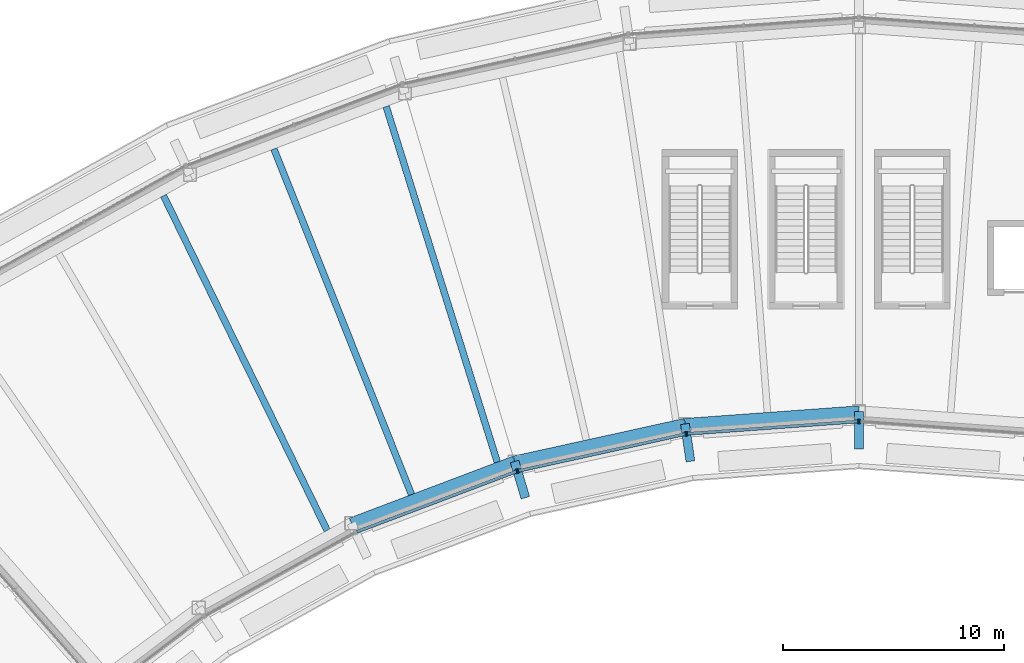
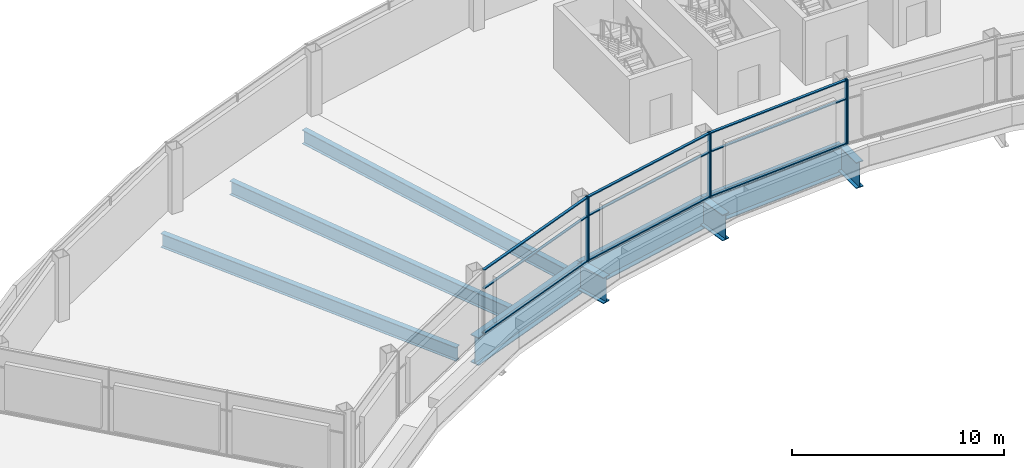
# One storey, part 4 of 17: 15 members, 9 beams, 4 elements without a shape of their own.
"""IFC4 building model written with IfcOpenShell, lengths in metres."""

from ifc_helpers import new_model, si_unit, direction, frame, origin, origin_2d, place, context, subcontext, project, spatial, rectangle, i_section, extrude, material, layer, layer_set, material_profile, profile_set, type_object, element, aggregate, save


model = new_model("IFC4")

# Units and contexts
model_context = context("Model", 3, precision=1e-05, world=origin(), true_north=direction((0.0, 1.0)))
body_context = subcontext(model_context, "Body", "Model", "MODEL_VIEW")
ifc_project = project(units=[si_unit("LENGTHUNIT", "METRE"), si_unit("AREAUNIT", "SQUARE_METRE"), si_unit("VOLUMEUNIT", "CUBIC_METRE"), si_unit("PLANEANGLEUNIT", "RADIAN"), si_unit("MASSUNIT", "GRAM", prefix="KILO")], contexts=[model_context])

# Site, building, storey
site_placement = place(None, origin())
site = spatial("IfcSite", under=ifc_project, at=site_placement, CompositionType="ELEMENT")
building_placement = place(site_placement, origin())
building = spatial("IfcBuilding", under=site, at=building_placement, Name="Tuul Gate Civic Tower", CompositionType="ELEMENT")
storey_placement = place(building_placement, frame((0.0, 0.0, 360.10009765625)))
storey = spatial("IfcBuildingStorey", under=building, at=storey_placement, Name="Crown tier 1 lower", CompositionType="ELEMENT", Elevation=360.10009765625)

# Curtain wall, member
ifc_material_1 = material(Name="Aluminium", Category="aluminium")
ifc_layer = layer(ifc_material_1, 0.199951171875)
ifc_layer_set = layer_set([ifc_layer], Name="Aluminium")
curtain_wall_type = type_object("IfcCurtainWallType", Name="Curtain wall CW5", PredefinedType="NOTDEFINED", material=ifc_layer_set)
curtain_wall_1_placement = place(storey_placement, origin())
curtain_wall_1 = element("IfcCurtainWall", 1, at=curtain_wall_1_placement, inside=storey, type_object=curtain_wall_type, Name="Curtain wall CW5", PredefinedType="NOTDEFINED")
ifc_material_2 = material(Name="Aluminium", Category="aluminium")
ifc_material_profile_1 = material_profile(ifc_material_2, rectangle(XDim=0.199951171875, YDim=0.06005859375, at=origin_2d()), Name="CW5 mullion")
ifc_profile_set_1 = profile_set([ifc_material_profile_1], Name="Aluminium")
member_type_1 = type_object("IfcMemberType", Name="CW5 mullion", PredefinedType="MULLION", material=ifc_profile_set_1)
member_1_placement = place(storey_placement, frame((-13.26513671875, -8.231689453125, 0.0), z_axis=(0.0, 0.0, 1.0), x_axis=(-0.353743883051, 0.935342325143, 0.0)))
member_1 = element("IfcMember", 2, at=member_1_placement, type_object=member_type_1, Name="Mullion", PredefinedType="MULLION", context=body_context, shape_type="SweptSolid", body=[
    extrude(rectangle(XDim=0.199951171875, YDim=0.06005859375, at=origin_2d()), origin(), (0.0, 0.0, 1.0), 3.699951171875),
])

# Curtain wall, members
curtain_wall_2_placement = place(storey_placement, origin())
curtain_wall_2 = element("IfcCurtainWall", 3, at=curtain_wall_2_placement, inside=storey, type_object=curtain_wall_type, Name="Curtain wall CW5", PredefinedType="NOTDEFINED")
member_2_placement = place(storey_placement, frame((-13.207763671875, -8.214599609375, 0.0), z_axis=(0.0, 0.0, 1.0), x_axis=(-0.215196143732, 0.976570847262, 0.0)))
member_2 = element("IfcMember", 4, at=member_2_placement, type_object=member_type_1, Name="Mullion", PredefinedType="MULLION", context=body_context, shape_type="SweptSolid", body=[
    extrude(rectangle(XDim=0.199951171875, YDim=0.06005859375, at=origin_2d()), origin(), (0.0, 0.0, 1.0), 3.699951171875),
])
member_3_placement = place(storey_placement, frame((-5.63330078125, -6.54541015625, 0.0), z_axis=(0.0, 0.0, 1.0), x_axis=(-0.215196143732, 0.976570847262, 0.0)))
member_3 = element("IfcMember", 5, at=member_3_placement, type_object=member_type_1, Name="Mullion", PredefinedType="MULLION", context=body_context, shape_type="SweptSolid", body=[
    extrude(rectangle(XDim=0.199951171875, YDim=0.06005859375, at=origin_2d()), origin(), (0.0, 0.0, 1.0), 3.699951171875),
])

curtain_wall_3_placement = place(storey_placement, origin())
curtain_wall_3 = element("IfcCurtainWall", 6, at=curtain_wall_3_placement, inside=storey, type_object=curtain_wall_type, Name="Curtain wall CW5", PredefinedType="NOTDEFINED")
member_4_placement = place(storey_placement, frame((-5.573974609375, -6.536865234375, 0.0), z_axis=(0.0, 0.0, 1.0), x_axis=(-0.072283482832, 0.997384127661, 0.0)))
member_4 = element("IfcMember", 7, at=member_4_placement, type_object=member_type_1, Name="Mullion", PredefinedType="MULLION", context=body_context, shape_type="SweptSolid", body=[
    extrude(rectangle(XDim=0.199951171875, YDim=0.06005859375, at=origin_2d()), origin(), (0.0, 0.0, 1.0), 3.699951171875),
])
member_5_placement = place(storey_placement, frame((2.162109375, -5.97607421875, 0.0), z_axis=(0.0, 0.0, 1.0), x_axis=(-0.072283482832, 0.997384127661, 0.0)))
member_5 = element("IfcMember", 8, at=member_5_placement, type_object=member_type_1, Name="Mullion", PredefinedType="MULLION", context=body_context, shape_type="SweptSolid", body=[
    extrude(rectangle(XDim=0.199951171875, YDim=0.06005859375, at=origin_2d()), origin(), (0.0, 0.0, 1.0), 3.699951171875),
])

# Curtain wall, member
curtain_wall_4_placement = place(storey_placement, origin())
curtain_wall_4 = element("IfcCurtainWall", 9, at=curtain_wall_4_placement, inside=storey, type_object=curtain_wall_type, Name="Curtain wall CW5", PredefinedType="NOTDEFINED")
member_6_placement = place(storey_placement, frame((2.221923828125, -5.97607421875, 0.0), z_axis=(0.0, 0.0, 1.0), x_axis=(0.072283482832, 0.997384127661, 0.0)))
member_6 = element("IfcMember", 10, at=member_6_placement, type_object=member_type_1, Name="Mullion", PredefinedType="MULLION", context=body_context, shape_type="SweptSolid", body=[
    extrude(rectangle(XDim=0.199951171875, YDim=0.06005859375, at=origin_2d()), origin(), (0.0, 0.0, 1.0), 3.699951171875),
])
aggregate(curtain_wall_4, [member_6])

# Member
ifc_material_3 = material(Name="Aluminium", Category="aluminium")
ifc_material_profile_2 = material_profile(ifc_material_3, rectangle(XDim=0.139892578125, YDim=0.06005859375, at=origin_2d()), Name="CW5 transom")
ifc_profile_set_2 = profile_set([ifc_material_profile_2], Name="Aluminium")
member_type_2 = type_object("IfcMemberType", Name="CW5 transom", PredefinedType="USERDEFINED", material=ifc_profile_set_2)
member_7_placement = place(storey_placement, frame((-20.491943359375, -10.96484375, 0.02978515625), z_axis=(0.935337326269, 0.353757100405, 0.0), x_axis=(-0.353757100405, 0.935337326269, 0.0)))
member_7 = element("IfcMember", 11, at=member_7_placement, type_object=member_type_2, Name="Transom", ObjectType="TRANSOM", PredefinedType="USERDEFINED", context=body_context, shape_type="SweptSolid", body=[
    extrude(rectangle(XDim=0.139892578125, YDim=0.06005859375, at=origin_2d()), origin(), (0.0, 0.0, 1.0), 7.6962890625),
])

member_8_placement = place(storey_placement, frame((-20.491943359375, -10.96484375, 2.599853515625), z_axis=(0.935337326269, 0.353757100405, 0.0), x_axis=(-0.353757100405, 0.935337326269, 0.0)))
member_8 = element("IfcMember", 12, at=member_8_placement, type_object=member_type_2, Name="Transom", ObjectType="TRANSOM", PredefinedType="USERDEFINED", context=body_context, shape_type="SweptSolid", body=[
    extrude(rectangle(XDim=0.139892578125, YDim=0.06005859375, at=origin_2d()), origin(), (0.0, 0.0, 1.0), 7.6962890625),
])

member_9_placement = place(storey_placement, frame((-20.491943359375, -10.96484375, 3.669921875), z_axis=(0.935337326269, 0.353757100405, 0.0), x_axis=(-0.353757100405, 0.935337326269, 0.0)))
member_9 = element("IfcMember", 13, at=member_9_placement, type_object=member_type_2, Name="Transom", ObjectType="TRANSOM", PredefinedType="USERDEFINED", context=body_context, shape_type="SweptSolid", body=[
    extrude(rectangle(XDim=0.139892578125, YDim=0.06005859375, at=origin_2d()), origin(), (0.0, 0.0, 1.0), 7.6962890625),
])

aggregate(curtain_wall_1, [member_1, member_7, member_8, member_9])

member_10_placement = place(storey_placement, frame((-13.178466796875, -8.2080078125, 0.02978515625), z_axis=(0.976575852415, 0.215173428843, 0.0), x_axis=(-0.215173428843, 0.976575852415, 0.0)))
member_10 = element("IfcMember", 14, at=member_10_placement, type_object=member_type_2, Name="Transom", ObjectType="TRANSOM", PredefinedType="USERDEFINED", context=body_context, shape_type="SweptSolid", body=[
    extrude(rectangle(XDim=0.139892578125, YDim=0.06005859375, at=origin_2d()), origin(), (0.0, 0.0, 1.0), 7.696044921875),
])

member_11_placement = place(storey_placement, frame((-13.178466796875, -8.2080078125, 2.599853515625), z_axis=(0.976575852415, 0.215173428843, 0.0), x_axis=(-0.215173428843, 0.976575852415, 0.0)))
member_11 = element("IfcMember", 15, at=member_11_placement, type_object=member_type_2, Name="Transom", ObjectType="TRANSOM", PredefinedType="USERDEFINED", context=body_context, shape_type="SweptSolid", body=[
    extrude(rectangle(XDim=0.139892578125, YDim=0.06005859375, at=origin_2d()), origin(), (0.0, 0.0, 1.0), 7.696044921875),
])

member_12_placement = place(storey_placement, frame((-13.178466796875, -8.2080078125, 3.669921875), z_axis=(0.976575852415, 0.215173428843, 0.0), x_axis=(-0.215173428843, 0.976575852415, 0.0)))
member_12 = element("IfcMember", 16, at=member_12_placement, type_object=member_type_2, Name="Transom", ObjectType="TRANSOM", PredefinedType="USERDEFINED", context=body_context, shape_type="SweptSolid", body=[
    extrude(rectangle(XDim=0.139892578125, YDim=0.06005859375, at=origin_2d()), origin(), (0.0, 0.0, 1.0), 7.696044921875),
])

aggregate(curtain_wall_2, [member_2, member_3, member_10, member_11, member_12])

member_13_placement = place(storey_placement, frame((-5.544189453125, -6.53466796875, 0.02978515625), z_axis=(0.997383437077, 0.072293011039, 0.0), x_axis=(-0.072293011039, 0.997383437077, 0.0)))
member_13 = element("IfcMember", 17, at=member_13_placement, type_object=member_type_2, Name="Transom", ObjectType="TRANSOM", PredefinedType="USERDEFINED", context=body_context, shape_type="SweptSolid", body=[
    extrude(rectangle(XDim=0.139892578125, YDim=0.06005859375, at=origin_2d()), origin(), (0.0, 0.0, 1.0), 7.6962890625),
])

member_14_placement = place(storey_placement, frame((-5.544189453125, -6.53466796875, 2.599853515625), z_axis=(0.997383437077, 0.072293011039, 0.0), x_axis=(-0.072293011039, 0.997383437077, 0.0)))
member_14 = element("IfcMember", 18, at=member_14_placement, type_object=member_type_2, Name="Transom", ObjectType="TRANSOM", PredefinedType="USERDEFINED", context=body_context, shape_type="SweptSolid", body=[
    extrude(rectangle(XDim=0.139892578125, YDim=0.06005859375, at=origin_2d()), origin(), (0.0, 0.0, 1.0), 7.6962890625),
])

member_15_placement = place(storey_placement, frame((-5.544189453125, -6.53466796875, 3.669921875), z_axis=(0.997383437077, 0.072293011039, 0.0), x_axis=(-0.072293011039, 0.997383437077, 0.0)))
member_15 = element("IfcMember", 19, at=member_15_placement, type_object=member_type_2, Name="Transom", ObjectType="TRANSOM", PredefinedType="USERDEFINED", context=body_context, shape_type="SweptSolid", body=[
    extrude(rectangle(XDim=0.139892578125, YDim=0.06005859375, at=origin_2d()), origin(), (0.0, 0.0, 1.0), 7.6962890625),
])

aggregate(curtain_wall_3, [member_4, member_5, member_13, member_14, member_15])

# Beams
ifc_material_4 = material(Name="Steel S355", Category="steel")
ifc_material_profile_3 = material_profile(ifc_material_4, i_section(OverallWidth=0.39990234375, OverallDepth=1.5, WebThickness=0.02490234375, FlangeThickness=0.0400390625, at=origin_2d()), Name="PG1500x400x25x40")
ifc_profile_set_3 = profile_set([ifc_material_profile_3], Name="Steel S355")
beam_type_1 = type_object("IfcBeamType", Name="STR-FLOOR BEAM-PG1500x400x25x40", PredefinedType="BEAM", material=ifc_profile_set_3)
beam_1_placement = place(storey_placement, frame((-12.879638671875, -9.42236328125, -1.050048828125), z_axis=(-0.285219145834, 0.958462330428, 0.0), x_axis=(-0.958462330428, -0.285219145834, 0.0)))
element("IfcBeam", 20, at=beam_1_placement, inside=storey, type_object=beam_type_1, Name="Ring girder stub", PredefinedType="BEAM", context=body_context, shape_type="SweptSolid", body=[
    extrude(i_section(OverallWidth=0.39990234375, OverallDepth=1.5, WebThickness=0.02490234375, FlangeThickness=0.0400390625, at=origin_2d()), origin(), (0.0, 0.0, 1.0), 1.705078125),
])
beam_2_placement = place(storey_placement, frame((-5.42333984375, -7.780029296875, -1.050048828125), z_axis=(-0.143985716613, 0.989579766068, 0.0), x_axis=(-0.989579766068, -0.143985716613, 0.0)))
element("IfcBeam", 21, at=beam_2_placement, inside=storey, type_object=beam_type_1, Name="Ring girder stub", PredefinedType="BEAM", context=body_context, shape_type="SweptSolid", body=[
    extrude(i_section(OverallWidth=0.39990234375, OverallDepth=1.5, WebThickness=0.02490234375, FlangeThickness=0.0400390625, at=origin_2d()), origin(), (0.0, 0.0, 1.0), 1.705810546875),
])
beam_3_placement = place(storey_placement, frame((2.19189453125, -7.22802734375, -1.050048828125), z_axis=(0.0, 1.0, 0.0), x_axis=(-1.0, 0.0, 0.0)))
element("IfcBeam", 22, at=beam_3_placement, inside=storey, type_object=beam_type_1, Name="Ring girder stub", PredefinedType="BEAM", context=body_context, shape_type="SweptSolid", body=[
    extrude(i_section(OverallWidth=0.39990234375, OverallDepth=1.5, WebThickness=0.02490234375, FlangeThickness=0.0400390625, at=origin_2d()), origin(), (0.0, 0.0, 1.0), 1.705078125),
])
ifc_material_5 = material(Name="Steel S355", Category="steel")
ifc_material_profile_4 = material_profile(ifc_material_5, i_section(OverallWidth=0.300048828125, OverallDepth=0.800048828125, WebThickness=0.013916015625, FlangeThickness=0.02490234375, at=origin_2d()), Name="PG800x300x14x25")
ifc_profile_set_4 = profile_set([ifc_material_profile_4], Name="Steel S355")
beam_type_2 = type_object("IfcBeamType", Name="STR-FLOOR BEAM-PG800x300x14x25", PredefinedType="BEAM", material=ifc_profile_set_4)
beam_4_placement = place(storey_placement, frame((-14.1455078125, -7.815673828125, -0.7001953125), z_axis=(-0.298410464889, 0.954437632559, 0.0), x_axis=(-0.954437632559, -0.298410464889, 0.0)))
element("IfcBeam", 23, at=beam_4_placement, inside=storey, type_object=beam_type_2, Name="Floor beam", PredefinedType="BEAM", context=body_context, shape_type="SweptSolid", body=[
    extrude(i_section(OverallWidth=0.300048828125, OverallDepth=0.800048828125, WebThickness=0.013916015625, FlangeThickness=0.02490234375, at=origin_2d()), origin(), (0.0, 0.0, 1.0), 16.828369140625),
])
beam_5_placement = place(storey_placement, frame((-18.02197265625, -9.281494140625, -0.7001953125), z_axis=(-0.36977670925, 0.929120651636, 0.0), x_axis=(-0.929120651636, -0.36977670925, 0.0)))
element("IfcBeam", 24, at=beam_5_placement, inside=storey, type_object=beam_type_2, Name="Floor beam", PredefinedType="BEAM", context=body_context, shape_type="SweptSolid", body=[
    extrude(i_section(OverallWidth=0.300048828125, OverallDepth=0.800048828125, WebThickness=0.013916015625, FlangeThickness=0.02490234375, at=origin_2d()), origin(), (0.0, 0.0, 1.0), 16.8017578125),
])
beam_6_placement = place(storey_placement, frame((-21.836181640625, -10.89892578125, -0.7001953125), z_axis=(-0.439038586046, 0.898468207542, 0.0), x_axis=(-0.898468207542, -0.439038586046, 0.0)))
element("IfcBeam", 25, at=beam_6_placement, inside=storey, type_object=beam_type_2, Name="Floor beam", PredefinedType="BEAM", context=body_context, shape_type="SweptSolid", body=[
    extrude(i_section(OverallWidth=0.300048828125, OverallDepth=0.800048828125, WebThickness=0.013916015625, FlangeThickness=0.02490234375, at=origin_2d()), origin(), (0.0, 0.0, 1.0), 16.822021484375),
])
ifc_material_6 = material(Name="Steel S355", Category="steel")
ifc_material_profile_5 = material_profile(ifc_material_6, i_section(OverallWidth=0.5, OverallDepth=1.60009765625, WebThickness=0.02490234375, FlangeThickness=0.044921875, at=origin_2d()), Name="PG1600x500x25x45")
ifc_profile_set_5 = profile_set([ifc_material_profile_5], Name="Steel S355")
beam_type_3 = type_object("IfcBeamType", Name="STR-RING BEAM-PG1600x500x25x45", PredefinedType="BEAM", material=ifc_profile_set_5)
for number, where, z_axis, x_axis, name in (
    (26, (-20.738037109375, -10.575927734375, -1.10009765625), (0.935353022412, 0.353715596864, 0.0), (-0.353715596864, 0.935353022412, 0.0), "Ring girder"),
    (27, (-13.365966796875, -7.7880859375, -1.10009765625), (0.976572521348, 0.215188546509, 0.0), (-0.215188546509, 0.976572521348, 0.0), "Ring girder"),
):
    element("IfcBeam", number, at=place(storey_placement, frame(where, z_axis=z_axis, x_axis=x_axis)), inside=storey, type_object=beam_type_3, Name=name, PredefinedType="BEAM", context=body_context, shape_type="SweptSolid", body=[
        extrude(i_section(OverallWidth=0.5, OverallDepth=1.60009765625, WebThickness=0.02490234375, FlangeThickness=0.044921875, at=origin_2d()), origin(), (0.0, 0.0, 1.0), 7.881591796875),
    ])
beam_7_placement = place(storey_placement, frame((-5.6689453125, -6.092041015625, -1.10009765625), z_axis=(0.997389680342, 0.072206824799, 0.0), x_axis=(-0.072206824799, 0.997389680342, 0.0)))
element("IfcBeam", 28, at=beam_7_placement, inside=storey, type_object=beam_type_3, Name="Ring girder", PredefinedType="BEAM", context=body_context, shape_type="SweptSolid", body=[
    extrude(i_section(OverallWidth=0.5, OverallDepth=1.60009765625, WebThickness=0.02490234375, FlangeThickness=0.044921875, at=origin_2d()), origin(), (0.0, 0.0, 1.0), 7.88134765625),
])

save(model, "model.ifc")
